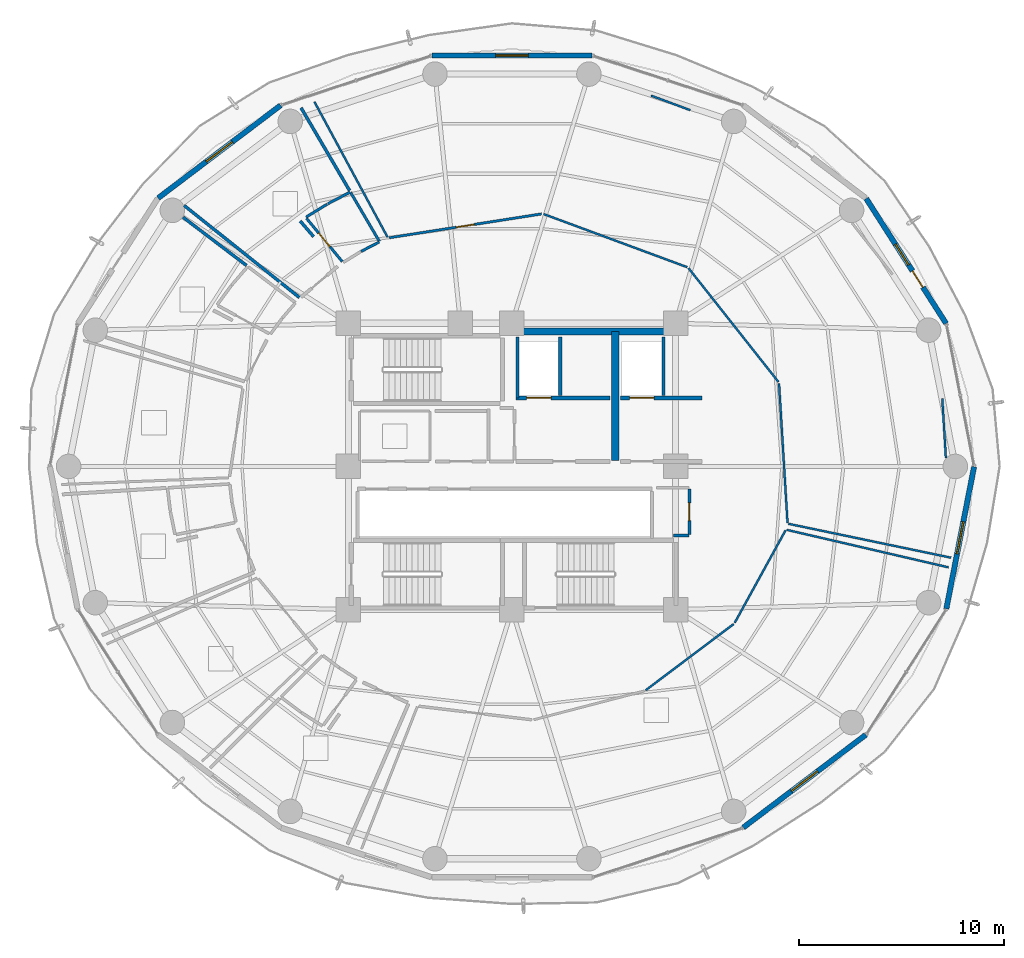
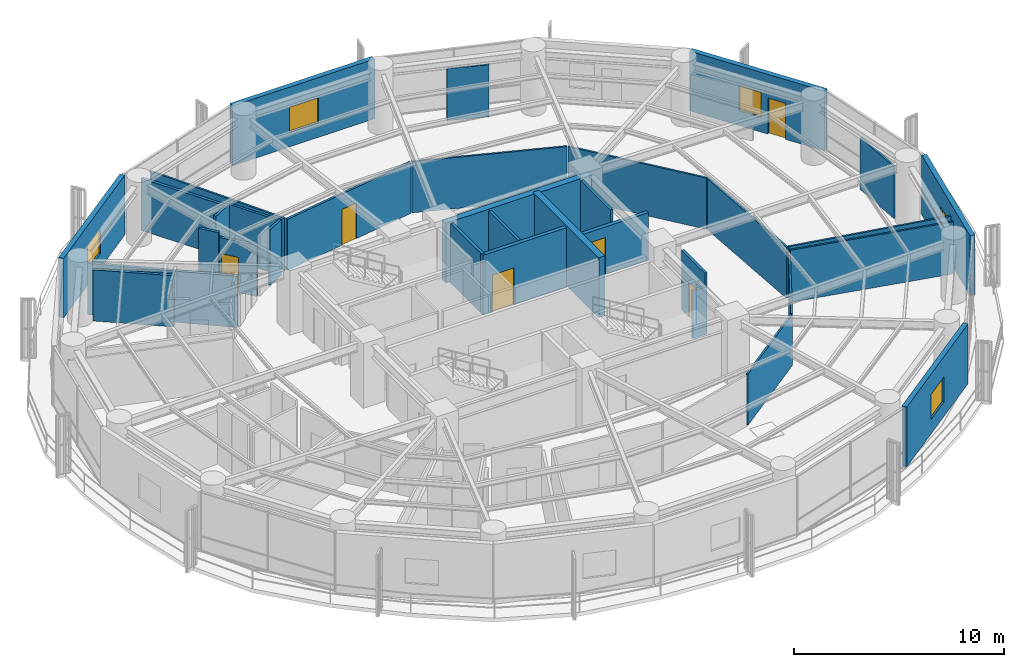
# One storey, part 23 of 27: 34 walls, 6 doors, 5 windows, 11 openings.
"""IFC4 building model written with IfcOpenShell, lengths in metres."""

from ifc_helpers import new_model, si_unit, direction, frame, frame_2d, origin, place, context, subcontext, project, spatial, rectangle, extrude, material, layer, layer_set, type_object, element, fill, save


model = new_model("IFC4")

# Units and contexts
model_context = context("Model", 3, precision=1e-05, world=origin(), true_north=direction((0.0, 1.0)))
body_context = subcontext(model_context, "Body", "Model", "MODEL_VIEW")
ifc_project = project(units=[si_unit("LENGTHUNIT", "METRE"), si_unit("AREAUNIT", "SQUARE_METRE"), si_unit("VOLUMEUNIT", "CUBIC_METRE"), si_unit("PLANEANGLEUNIT", "RADIAN"), si_unit("MASSUNIT", "GRAM", prefix="KILO")], contexts=[model_context])

# Site, building, storey
site_placement = place(None, origin())
site = spatial("IfcSite", under=ifc_project, at=site_placement, CompositionType="ELEMENT")
building_placement = place(site_placement, origin())
building = spatial("IfcBuilding", under=site, at=building_placement, Name="Kelanora Arch Commons", CompositionType="ELEMENT")
storey_placement = place(building_placement, frame((0.0, 0.0, 150.60009765625)))
storey = spatial("IfcBuildingStorey", under=building, at=storey_placement, Name="L38", CompositionType="ELEMENT", Elevation=150.60009765625)

# Walls
ifc_material_1 = material(Name="Autoclaved aerated concrete blockwork with fire plaster", Category="masonry")
ifc_layer_1 = layer(ifc_material_1, 0.14990234375)
ifc_layer_set_1 = layer_set([ifc_layer_1], Name="Autoclaved aerated concrete blockwork with fire plaster")
wall_type_1 = type_object("IfcWallType", Name="W-COMP-150", PredefinedType="PARTITIONING", material=ifc_layer_set_1)
wall_1_placement = place(storey_placement, frame((74.280029296875, 61.35009765625, 0.0), z_axis=(0.0, 0.0, 1.0), x_axis=(0.0, 1.0, 0.0)))
element("IfcWall", 1, at=wall_1_placement, inside=storey, type_object=wall_type_1, Name="Firefighting Lift 1 West Shaft Wall L38", PredefinedType="PARTITIONING", context=body_context, shape_type="SweptSolid", body=[
    extrude(rectangle(XDim=2.969970703125, YDim=0.14990234375, at=frame_2d((1.48486328125, 0.0))), origin(), (0.0, 0.0, 1.0), 3.47998046875),
])
for number, where, z_axis, x_axis, name in (
    (2, (76.360107421875, 61.47998046875, 0.0), (0.0, 0.0, 1.0), (0.0, 1.0, 0.0), "Firefighting Lift 1 East Shaft Wall L38"),
    (3, (81.419921875, 61.47998046875, 0.0), (0.0, 0.0, 1.0), (0.0, 1.0, 0.0), "Firefighting Lift 2 East Shaft Wall L38"),
):
    element("IfcWall", number, at=place(storey_placement, frame(where, z_axis=z_axis, x_axis=x_axis)), inside=storey, type_object=wall_type_1, Name=name, PredefinedType="PARTITIONING", context=body_context, shape_type="SweptSolid", body=[
        extrude(rectangle(XDim=2.840087890625, YDim=0.14990234375, at=frame_2d((1.419921875, 0.0))), origin(), (0.0, 0.0, 1.0), 3.47998046875),
    ])
wall_2_placement = place(storey_placement, frame((63.607666015625, 66.259033203125, 0.0), z_axis=(0.0, 0.0, 1.0), x_axis=(-0.781429667655, 0.623993328898, 0.0)))
element("IfcWall", 4, at=wall_2_placement, inside=storey, type_object=wall_type_1, Name="Co-Living Studio L38-01 Enclosure Partition 2", PredefinedType="PARTITIONING", context=body_context, shape_type="SweptSolid", body=[
    extrude(rectangle(XDim=7.215576171875, YDim=0.14990234375, at=frame_2d((3.60791015625, 0.0))), origin(), (0.0, 0.0, 1.0), 2.974853515625),
])
wall_3_placement = place(storey_placement, frame((63.688232421875, 75.534423828125, 0.0), z_axis=(0.0, 0.0, 1.0), x_axis=(0.505850409321, -0.862621216636, 0.0)))
element("IfcWall", 5, at=wall_3_placement, inside=storey, type_object=wall_type_1, Name="Co-Living Studio L38-01 Enclosure Partition 5", PredefinedType="PARTITIONING", context=body_context, shape_type="SweptSolid", body=[
    extrude(rectangle(XDim=4.690185546875, YDim=0.14990234375, at=frame_2d((2.34521484375, 0.0))), origin(), (0.0, 0.0, 1.0), 3.02490234375),
])
wall_4_placement = place(storey_placement, frame((63.648193359375, 69.99560546875, 0.0), z_axis=(0.0, 0.0, 1.0), x_axis=(0.651733897109, -0.758447709047, 0.0)))
element("IfcWall", 6, at=wall_4_placement, inside=storey, type_object=wall_type_1, Name="Co-Living Studio L38-01 Enclosure Partition 7", PredefinedType="PARTITIONING", context=body_context, shape_type="SweptSolid", body=[
    extrude(rectangle(XDim=1.001953125, YDim=0.14990234375, at=frame_2d((0.5009765625, 0.0))), origin(), (0.0, 0.0, 1.0), 3.47998046875),
])
wall_5_placement = place(storey_placement, frame((57.918212890625, 70.183837890625, 0.0), z_axis=(0.0, 0.0, 1.0), x_axis=(0.796177895966, -0.605062606657, 0.0)))
element("IfcWall", 7, at=wall_5_placement, inside=storey, type_object=wall_type_1, Name="Co-Living Studio L38-02 Enclosure Partition 5", PredefinedType="PARTITIONING", context=body_context, shape_type="SweptSolid", body=[
    extrude(rectangle(XDim=3.89501953125, YDim=0.14990234375, at=frame_2d((1.947509765625, 0.0))), origin(), (0.0, 0.0, 1.0), 2.974853515625),
])
ifc_material_2 = material(Name="Concrete C50/60", Category="concrete")
ifc_layer_2 = layer(ifc_material_2, 0.35009765625)
ifc_layer_set_2 = layer_set([ifc_layer_2], Name="Concrete C50/60")
wall_type_2 = type_object("IfcWallType", Name="W-CORE-350", PredefinedType="SHEAR", material=ifc_layer_set_2)
wall_6_placement = place(storey_placement, frame((74.0, 64.60009765625, 0.0), z_axis=(0.0, 0.0, 1.0), x_axis=(1.0, 0.0, 0.0)))
element("IfcWall", 8, at=wall_6_placement, inside=storey, type_object=wall_type_2, Name="Core Shear Spine L38-CN-E", PredefinedType="SHEAR", context=body_context, shape_type="SweptSolid", body=[
    extrude(rectangle(XDim=8.0, YDim=0.35009765625, at=frame_2d((4.0, 0.0))), origin(), (0.0, 0.0, 1.0), 3.489990234375),
])
wall_7_placement = place(storey_placement, frame((79.050048828125, 58.300048828125, 0.0), z_axis=(0.0, 0.0, 1.0), x_axis=(0.0, 1.0, 0.0)))
element("IfcWall", 9, at=wall_7_placement, inside=storey, type_object=wall_type_2, Name="Core Shear Spine L38-CE-N", PredefinedType="SHEAR", context=body_context, shape_type="SweptSolid", body=[
    extrude(rectangle(XDim=6.300048828125, YDim=0.35009765625, at=frame_2d((3.14990234375, 0.0))), origin(), (0.0, 0.0, 1.0), 3.489990234375),
])

# Wall, openings, door, window
ifc_material_3 = material(Name="Precast concrete C40/50 with terracotta rainscreen", Category="masonry")
ifc_layer_3 = layer(ifc_material_3, 0.260009765625)
ifc_layer_set_3 = layer_set([ifc_layer_3], Name="Precast concrete C40/50 with terracotta rainscreen")
wall_type_3 = type_object("IfcWallType", Name="W-EXT-TC", PredefinedType="SOLIDWALL", material=ifc_layer_set_3)
wall_8_placement = place(storey_placement, frame((95.22900390625, 64.98974609375, 0.0), z_axis=(0.0, 0.0, 1.0), x_axis=(-0.538801521808, 0.842432739213, 0.0)))
wall_8 = element("IfcWall", 10, at=wall_8_placement, inside=storey, type_object=wall_type_3, Name="Terracotta Exterior Wall L38-B01", PredefinedType="SOLIDWALL", context=body_context, shape_type="SweptSolid", body=[
    extrude(rectangle(XDim=7.25341796875, YDim=0.260009765625, at=frame_2d((3.626708984375, 0.0))), origin(), (0.0, 0.0, 1.0), 3.474853515625),
])
opening_1_placement = place(wall_8_placement, frame((2.10205078125, 0.0, 0.0)))
opening_1 = element("IfcOpeningElement", 11, at=opening_1_placement, cuts=wall_8, Name="Opening DB-01", PredefinedType="OPENING", context=body_context, shape_type="SweptSolid", body=[
    extrude(rectangle(XDim=0.949951171875, YDim=2.10009765625, at=frame_2d((0.47509765625, 1.050048828125))), frame((0.0, 0.14013671875, 0.0), z_axis=(0.0, -1.0, 0.0), x_axis=(1.0, 0.0, 0.0)), (0.0, 0.0, 1.0), 0.280029296875),
])
opening_2_placement = place(wall_8_placement, frame((3.402099609375, 0.0, 0.85009765625)))
opening_2 = element("IfcOpeningElement", 12, at=opening_2_placement, cuts=wall_8, Name="Opening WN-02", PredefinedType="OPENING", context=body_context, shape_type="SweptSolid", body=[
    extrude(rectangle(XDim=1.199951171875, YDim=1.449951171875, at=frame_2d((0.60009765625, 0.72509765625))), frame((0.0, 0.14013671875, 0.0), z_axis=(0.0, -1.0, 0.0), x_axis=(1.0, 0.0, 0.0)), (0.0, 0.0, 1.0), 0.280029296875),
])
ifc_material_4 = material(Name="Terracotta-aluminium thermally broken glazed balcony door", Category="masonry")
door_type_1 = type_object("IfcDoorType", Name="D-BAL-10", OperationType="NOTDEFINED", PredefinedType="DOOR", material=ifc_material_4)
door_1_placement = place(opening_1_placement, frame((0.949951171875, 0.0, 0.0), z_axis=(0.0, 0.0, 1.0), x_axis=(-1.0, 0.0, 0.0)))
door_1 = element("IfcDoor", 13, at=door_1_placement, inside=storey, type_object=door_type_1, Name="Wave Balcony Door L38-B01", OperationType="SINGLE_SWING_RIGHT", OverallHeight=2.10009765625, OverallWidth=0.949951171875, PredefinedType="DOOR", context=body_context, shape_type="SweptSolid", body=[
    extrude(rectangle(XDim=0.949951171875, YDim=2.10009765625, at=frame_2d((0.47509765625, 1.050048828125))), frame((0.0, 0.02490234375, 0.0), z_axis=(0.0, -1.0, 0.0), x_axis=(1.0, 0.0, 0.0)), (0.0, 0.0, 1.0), 0.050048828125),
])
fill(opening_1, door_1)
ifc_material_5 = material(Name="Terracotta-anodised aluminium frame with operable awning sash", Category="masonry")
window_type_1 = type_object("IfcWindowType", Name="WIN-CL-12", PartitioningType="SINGLE_PANEL", PredefinedType="WINDOW", material=ifc_material_5)
window_1_placement = place(opening_2_placement, origin())
window_1 = element("IfcWindow", 14, at=window_1_placement, inside=storey, type_object=window_type_1, Name="Co-Living Operable Window L38-B01", OverallHeight=1.449951171875, OverallWidth=1.199951171875, PartitioningType="SINGLE_PANEL", PredefinedType="WINDOW", context=body_context, shape_type="SweptSolid", body=[
    extrude(rectangle(XDim=1.199951171875, YDim=1.449951171875, at=frame_2d((0.60009765625, 0.72509765625))), frame((0.0, 0.030029296875, 0.0), z_axis=(0.0, -1.0, 0.0), x_axis=(1.0, 0.0, 0.0)), (0.0, 0.0, 1.0), 0.06005859375),
])
fill(opening_2, window_1)

# Wall, opening, window
wall_9_placement = place(storey_placement, frame((77.909423828125, 78.090087890625, 0.0), z_axis=(0.0, 0.0, 1.0), x_axis=(-1.0, 0.0, 0.0)))
wall_9 = element("IfcWall", 15, at=wall_9_placement, inside=storey, type_object=wall_type_3, Name="Terracotta Exterior Wall L38-B04", PredefinedType="SOLIDWALL", context=body_context, shape_type="SweptSolid", body=[
    extrude(rectangle(XDim=7.81884765625, YDim=0.260009765625, at=frame_2d((3.909423828125, 0.0))), origin(), (0.0, 0.0, 1.0), 3.474853515625),
])
opening_3_placement = place(wall_9_placement, frame((3.10888671875, 0.0, 0.85009765625)))
opening_3 = element("IfcOpeningElement", 16, at=opening_3_placement, cuts=wall_9, Name="Opening WN-01", PredefinedType="OPENING", context=body_context, shape_type="SweptSolid", body=[
    extrude(rectangle(XDim=1.60009765625, YDim=1.449951171875, at=frame_2d((0.800048828125, 0.72509765625))), frame((0.0, 0.14013671875, 0.0), z_axis=(0.0, -1.0, 0.0), x_axis=(1.0, 0.0, 0.0)), (0.0, 0.0, 1.0), 0.280029296875),
])
ifc_material_6 = material(Name="Terracotta-anodised aluminium frame with operable low-E glazing", Category="masonry")
window_type_2 = type_object("IfcWindowType", Name="WIN-CL-18", PartitioningType="DOUBLE_PANEL_VERTICAL", PredefinedType="WINDOW", material=ifc_material_6)
window_2_placement = place(opening_3_placement, origin())
window_2 = element("IfcWindow", 17, at=window_2_placement, inside=storey, type_object=window_type_2, Name="Co-Living Operable Window L38-B04", OverallHeight=1.449951171875, OverallWidth=1.60009765625, PartitioningType="SINGLE_PANEL", PredefinedType="WINDOW", context=body_context, shape_type="SweptSolid", body=[
    extrude(rectangle(XDim=1.60009765625, YDim=1.449951171875, at=frame_2d((0.800048828125, 0.72509765625))), frame((0.0, 0.030029296875, 0.0), z_axis=(0.0, -1.0, 0.0), x_axis=(1.0, 0.0, 0.0)), (0.0, 0.0, 1.0), 0.06005859375),
])
fill(opening_3, window_2)

wall_10_placement = place(storey_placement, frame((62.68798828125, 75.65771484375, 0.0), z_axis=(0.0, 0.0, 1.0), x_axis=(-0.797163719609, -0.603763202042, 0.0)))
wall_10 = element("IfcWall", 18, at=wall_10_placement, inside=storey, type_object=wall_type_3, Name="Terracotta Exterior Wall L38-B06", PredefinedType="SOLIDWALL", context=body_context, shape_type="SweptSolid", body=[
    extrude(rectangle(XDim=7.51220703125, YDim=0.260009765625, at=frame_2d((3.756103515625, 0.0))), origin(), (0.0, 0.0, 1.0), 3.474853515625),
])
opening_4_placement = place(wall_10_placement, frame((2.9560546875, 0.0, 0.85009765625)))
opening_4 = element("IfcOpeningElement", 19, at=opening_4_placement, cuts=wall_10, Name="Opening WN-01", PredefinedType="OPENING", context=body_context, shape_type="SweptSolid", body=[
    extrude(rectangle(XDim=1.60009765625, YDim=1.449951171875, at=frame_2d((0.800048828125, 0.72509765625))), frame((0.0, 0.14013671875, 0.0), z_axis=(0.0, -1.0, 0.0), x_axis=(1.0, 0.0, 0.0)), (0.0, 0.0, 1.0), 0.280029296875),
])
window_3_placement = place(opening_4_placement, origin())
window_3 = element("IfcWindow", 20, at=window_3_placement, inside=storey, type_object=window_type_2, Name="Co-Living Operable Window L38-B06", OverallHeight=1.449951171875, OverallWidth=1.60009765625, PartitioningType="SINGLE_PANEL", PredefinedType="WINDOW", context=body_context, shape_type="SweptSolid", body=[
    extrude(rectangle(XDim=1.60009765625, YDim=1.449951171875, at=frame_2d((0.800048828125, 0.72509765625))), frame((0.0, 0.030029296875, 0.0), z_axis=(0.0, -1.0, 0.0), x_axis=(1.0, 0.0, 0.0)), (0.0, 0.0, 1.0), 0.06005859375),
])
fill(opening_4, window_3)

wall_11_placement = place(storey_placement, frame((85.31201171875, 40.34228515625, 0.0), z_axis=(0.0, 0.0, 1.0), x_axis=(0.797163719609, 0.603763202042, 0.0)))
wall_11 = element("IfcWall", 21, at=wall_11_placement, inside=storey, type_object=wall_type_3, Name="Terracotta Exterior Wall L38-B15", PredefinedType="SOLIDWALL", context=body_context, shape_type="SweptSolid", body=[
    extrude(rectangle(XDim=7.51220703125, YDim=0.260009765625, at=frame_2d((3.756103515625, 0.0))), origin(), (0.0, 0.0, 1.0), 3.474853515625),
])
opening_5_placement = place(wall_11_placement, frame((2.9560546875, 0.0, 0.85009765625)))
opening_5 = element("IfcOpeningElement", 22, at=opening_5_placement, cuts=wall_11, Name="Opening WN-01", PredefinedType="OPENING", context=body_context, shape_type="SweptSolid", body=[
    extrude(rectangle(XDim=1.60009765625, YDim=1.449951171875, at=frame_2d((0.800048828125, 0.72509765625))), frame((0.0, 0.14013671875, 0.0), z_axis=(0.0, -1.0, 0.0), x_axis=(1.0, 0.0, 0.0)), (0.0, 0.0, 1.0), 0.280029296875),
])
window_4_placement = place(opening_5_placement, origin())
window_4 = element("IfcWindow", 23, at=window_4_placement, inside=storey, type_object=window_type_2, Name="Co-Living Operable Window L38-B15", OverallHeight=1.449951171875, OverallWidth=1.60009765625, PartitioningType="SINGLE_PANEL", PredefinedType="WINDOW", context=body_context, shape_type="SweptSolid", body=[
    extrude(rectangle(XDim=1.60009765625, YDim=1.449951171875, at=frame_2d((0.800048828125, 0.72509765625))), frame((0.0, 0.030029296875, 0.0), z_axis=(0.0, -1.0, 0.0), x_axis=(1.0, 0.0, 0.0)), (0.0, 0.0, 1.0), 0.06005859375),
])
fill(opening_5, window_4)

wall_12_placement = place(storey_placement, frame((95.239990234375, 51.03759765625, 0.0), z_axis=(0.0, 0.0, 1.0), x_axis=(0.191716984769, 0.981450252306, 0.0)))
wall_12 = element("IfcWall", 24, at=wall_12_placement, inside=storey, type_object=wall_type_3, Name="Terracotta Exterior Wall L38-B17", PredefinedType="SOLIDWALL", context=body_context, shape_type="SweptSolid", body=[
    extrude(rectangle(XDim=7.0791015625, YDim=0.260009765625, at=frame_2d((3.53955078125, 0.0))), origin(), (0.0, 0.0, 1.0), 3.474853515625),
])
opening_6_placement = place(wall_12_placement, frame((2.739990234375, 0.0, 0.85009765625)))
opening_6 = element("IfcOpeningElement", 25, at=opening_6_placement, cuts=wall_12, Name="Opening WN-01", PredefinedType="OPENING", context=body_context, shape_type="SweptSolid", body=[
    extrude(rectangle(XDim=1.60009765625, YDim=1.449951171875, at=frame_2d((0.800048828125, 0.72509765625))), frame((0.0, 0.14013671875, 0.0), z_axis=(0.0, -1.0, 0.0), x_axis=(1.0, 0.0, 0.0)), (0.0, 0.0, 1.0), 0.280029296875),
])
window_5_placement = place(opening_6_placement, origin())
window_5 = element("IfcWindow", 26, at=window_5_placement, inside=storey, type_object=window_type_2, Name="Co-Living Operable Window L38-B17", OverallHeight=1.449951171875, OverallWidth=1.60009765625, PartitioningType="SINGLE_PANEL", PredefinedType="WINDOW", context=body_context, shape_type="SweptSolid", body=[
    extrude(rectangle(XDim=1.60009765625, YDim=1.449951171875, at=frame_2d((0.800048828125, 0.72509765625))), frame((0.0, 0.030029296875, 0.0), z_axis=(0.0, -1.0, 0.0), x_axis=(1.0, 0.0, 0.0)), (0.0, 0.0, 1.0), 0.06005859375),
])
fill(opening_6, window_5)

# Wall, opening, door
ifc_material_7 = material(Name="Concrete C40/50", Category="concrete")
ifc_layer_4 = layer(ifc_material_7, 0.199951171875)
ifc_layer_set_4 = layer_set([ifc_layer_4], Name="Concrete C40/50")
wall_type_4 = type_object("IfcWallType", Name="W-FFL-200", PredefinedType="SOLIDWALL", material=ifc_layer_set_4)
wall_13_placement = place(storey_placement, frame((74.199951171875, 61.35009765625, 0.0), z_axis=(0.0, 0.0, 1.0), x_axis=(1.0, 0.0, 0.0)))
wall_13 = element("IfcWall", 27, at=wall_13_placement, inside=storey, type_object=wall_type_4, Name="Firefighting Lift 1 Shaft Front L38", PredefinedType="SOLIDWALL", context=body_context, shape_type="SweptSolid", body=[
    extrude(rectangle(XDim=4.60009765625, YDim=0.199951171875, at=frame_2d((2.300048828125, 0.0))), origin(), (0.0, 0.0, 1.0), 3.47998046875),
])
opening_7_placement = place(wall_13_placement, frame((0.52001953125, 0.0, 0.0)))
opening_7 = element("IfcOpeningElement", 28, at=opening_7_placement, cuts=wall_13, Name="Opening LD-FF", PredefinedType="OPENING", context=body_context, shape_type="SweptSolid", body=[
    extrude(rectangle(XDim=1.199951171875, YDim=2.14990234375, at=frame_2d((0.60009765625, 1.074951171875))), frame((0.0, 0.10986328125, 0.0), z_axis=(0.0, -1.0, 0.0), x_axis=(1.0, 0.0, 0.0)), (0.0, 0.0, 1.0), 0.219970703125),
])
ifc_material_8 = material(Name="Fire-rated firefighters lift sliding landing door")
door_type_2 = type_object("IfcDoorType", Name="D-LIFT-FF", OperationType="NOTDEFINED", PredefinedType="DOOR", material=ifc_material_8)
door_2_placement = place(opening_7_placement, origin())
door_2 = element("IfcDoor", 29, at=door_2_placement, inside=storey, type_object=door_type_2, Name="Firefighting Lift LF-FF1 Landing Door L38", OperationType="DOUBLE_DOOR_SLIDING", OverallHeight=2.14990234375, OverallWidth=1.199951171875, PredefinedType="DOOR", context=body_context, shape_type="SweptSolid", body=[
    extrude(rectangle(XDim=1.199951171875, YDim=2.14990234375, at=frame_2d((0.60009765625, 1.074951171875))), frame((0.0, 0.02490234375, 0.0), z_axis=(0.0, -1.0, 0.0), x_axis=(1.0, 0.0, 0.0)), (0.0, 0.0, 1.0), 0.050048828125),
])
fill(opening_7, door_2)

wall_14_placement = place(storey_placement, frame((79.300048828125, 61.35009765625, 0.0), z_axis=(0.0, 0.0, 1.0), x_axis=(1.0, 0.0, 0.0)))
wall_14 = element("IfcWall", 30, at=wall_14_placement, inside=storey, type_object=wall_type_4, Name="Firefighting Lift 2 Shaft Front L38", PredefinedType="SOLIDWALL", context=body_context, shape_type="SweptSolid", body=[
    extrude(rectangle(XDim=4.0, YDim=0.199951171875, at=frame_2d((2.0, 0.0))), origin(), (0.0, 0.0, 1.0), 2.77490234375),
])
opening_8_placement = place(wall_14_placement, frame((0.449951171875, 0.0, 0.0)))
opening_8 = element("IfcOpeningElement", 31, at=opening_8_placement, cuts=wall_14, Name="Opening LD-FF", PredefinedType="OPENING", context=body_context, shape_type="SweptSolid", body=[
    extrude(rectangle(XDim=1.199951171875, YDim=2.14990234375, at=frame_2d((0.60009765625, 1.074951171875))), frame((0.0, 0.10986328125, 0.0), z_axis=(0.0, -1.0, 0.0), x_axis=(1.0, 0.0, 0.0)), (0.0, 0.0, 1.0), 0.219970703125),
])
door_3_placement = place(opening_8_placement, origin())
door_3 = element("IfcDoor", 32, at=door_3_placement, inside=storey, type_object=door_type_2, Name="Firefighting Lift LF-FF2 Landing Door L38", OperationType="DOUBLE_DOOR_SLIDING", OverallHeight=2.14990234375, OverallWidth=1.199951171875, PredefinedType="DOOR", context=body_context, shape_type="SweptSolid", body=[
    extrude(rectangle(XDim=1.199951171875, YDim=2.14990234375, at=frame_2d((0.60009765625, 1.074951171875))), frame((0.0, 0.02490234375, 0.0), z_axis=(0.0, -1.0, 0.0), x_axis=(1.0, 0.0, 0.0)), (0.0, 0.0, 1.0), 0.050048828125),
])
fill(opening_8, door_3)

# Walls
ifc_material_9 = material(Name="Lightweight fire-rated acoustic stud partition")
ifc_layer_5 = layer(ifc_material_9, 0.10009765625)
ifc_layer_set_5 = layer_set([ifc_layer_5], Name="Lightweight fire-rated acoustic stud partition")
wall_type_5 = type_object("IfcWallType", Name="W-PART-100", PredefinedType="PARTITIONING", material=ifc_layer_set_5)
wall_15_placement = place(storey_placement, frame((80.534912109375, 47.053955078125, 0.0), z_axis=(0.0, 0.0, 1.0), x_axis=(0.799096406603, 0.601202904979, 0.0)))
element("IfcWall", 33, at=wall_15_placement, inside=storey, type_object=wall_type_5, Name="South-East Shared Study Commons L38 Enclosure Partition 3", PredefinedType="PARTITIONING", context=body_context, shape_type="SweptSolid", body=[
    extrude(rectangle(XDim=5.387451171875, YDim=0.10009765625, at=frame_2d((2.69384765625, 0.0))), origin(), (0.0, 0.0, 1.0), 2.974853515625),
])
wall_16_placement = place(storey_placement, frame((84.891357421875, 50.35205078125, 0.0), z_axis=(0.0, 0.0, 1.0), x_axis=(0.481680787808, 0.876346745676, 0.0)))
element("IfcWall", 34, at=wall_16_placement, inside=storey, type_object=wall_type_5, Name="South-East Shared Study Commons L38 Enclosure Partition 4", PredefinedType="PARTITIONING", context=body_context, shape_type="SweptSolid", body=[
    extrude(rectangle(XDim=5.15966796875, YDim=0.10009765625, at=frame_2d((2.579833984375, 0.0))), origin(), (0.0, 0.0, 1.0), 2.974853515625),
])
wall_17_placement = place(storey_placement, frame((87.43505859375, 54.89990234375, 0.0), z_axis=(0.0, 0.0, 1.0), x_axis=(0.97414388338, -0.225928516292, 0.0)))
element("IfcWall", 35, at=wall_17_placement, inside=storey, type_object=wall_type_5, Name="South-East Shared Study Commons L38 Enclosure Partition 5", PredefinedType="PARTITIONING", context=body_context, shape_type="SweptSolid", body=[
    extrude(rectangle(XDim=8.121826171875, YDim=0.10009765625, at=frame_2d((4.06103515625, 0.0))), origin(), (0.0, 0.0, 1.0), 3.02490234375),
])
wall_18_placement = place(storey_placement, frame((87.4736328125, 55.243896484375, 0.0), z_axis=(0.0, 0.0, 1.0), x_axis=(-0.060688331813, 0.998156764432, 0.0)))
element("IfcWall", 36, at=wall_18_placement, inside=storey, type_object=wall_type_5, Name="North-East Shared Cluster Kitchen L38 Enclosure Partition 1", PredefinedType="PARTITIONING", context=body_context, shape_type="SweptSolid", body=[
    extrude(rectangle(XDim=6.826904296875, YDim=0.10009765625, at=frame_2d((3.41357421875, 0.0))), origin(), (0.0, 0.0, 1.0), 2.974853515625),
])
wall_19_placement = place(storey_placement, frame((87.0322265625, 62.12939453125, 0.0), z_axis=(0.0, 0.0, 1.0), x_axis=(-0.619933209612, 0.784654583636, 0.0)))
element("IfcWall", 37, at=wall_19_placement, inside=storey, type_object=wall_type_5, Name="North-East Shared Cluster Kitchen L38 Enclosure Partition 2", PredefinedType="PARTITIONING", context=body_context, shape_type="SweptSolid", body=[
    extrude(rectangle(XDim=7.094970703125, YDim=0.10009765625, at=frame_2d((3.54736328125, 0.0))), origin(), (0.0, 0.0, 1.0), 2.974853515625),
])
wall_20_placement = place(storey_placement, frame((82.571533203125, 67.741943359375, 0.0), z_axis=(0.0, 0.0, 1.0), x_axis=(-0.937874459602, 0.346974780101, 0.0)))
element("IfcWall", 38, at=wall_20_placement, inside=storey, type_object=wall_type_5, Name="North-East Shared Cluster Kitchen L38 Enclosure Partition 3", PredefinedType="PARTITIONING", context=body_context, shape_type="SweptSolid", body=[
    extrude(rectangle(XDim=7.49365234375, YDim=0.10009765625, at=frame_2d((3.746826171875, 0.0))), origin(), (0.0, 0.0, 1.0), 2.974853515625),
])
wall_21_placement = place(storey_placement, frame((67.91796875, 69.207275390625, 0.0), z_axis=(0.0, 0.0, 1.0), x_axis=(-0.475160964166, 0.879898890858, 0.0)))
element("IfcWall", 39, at=wall_21_placement, inside=storey, type_object=wall_type_5, Name="North-East Shared Cluster Kitchen L38 Enclosure Partition 5", PredefinedType="PARTITIONING", context=body_context, shape_type="SweptSolid", body=[
    extrude(rectangle(XDim=7.52978515625, YDim=0.10009765625, at=frame_2d((3.764892578125, 0.0))), origin(), (0.0, 0.0, 1.0), 3.02490234375),
])
wall_22_placement = place(storey_placement, frame((80.80126953125, 76.1318359375, 0.0), z_axis=(0.0, 0.0, 1.0), x_axis=(0.93765088322, -0.347578510839, 0.0)))
element("IfcWall", 40, at=wall_22_placement, inside=storey, type_object=wall_type_5, Name="North-East Shared Cluster Kitchen L38 Enclosure Partition 7", PredefinedType="PARTITIONING", context=body_context, shape_type="SweptSolid", body=[
    extrude(rectangle(XDim=2.046875, YDim=0.10009765625, at=frame_2d((1.0234375, 0.0))), origin(), (0.0, 0.0, 1.0), 3.02490234375),
])
wall_23_placement = place(storey_placement, frame((95.040771484375, 61.32861328125, 0.0), z_axis=(0.0, 0.0, 1.0), x_axis=(0.060573475309, -0.998163741121, 0.0)))
element("IfcWall", 41, at=wall_23_placement, inside=storey, type_object=wall_type_5, Name="North-East Shared Cluster Kitchen L38 Enclosure Partition 9", PredefinedType="PARTITIONING", context=body_context, shape_type="SweptSolid", body=[
    extrude(rectangle(XDim=2.9140625, YDim=0.10009765625, at=frame_2d((1.45703125, 0.0))), origin(), (0.0, 0.0, 1.0), 3.02490234375),
])
wall_24_placement = place(storey_placement, frame((95.474853515625, 53.5361328125, 0.0), z_axis=(0.0, 0.0, 1.0), x_axis=(-0.978946183013, 0.204118521367, 0.0)))
element("IfcWall", 42, at=wall_24_placement, inside=storey, type_object=wall_type_5, Name="North-East Shared Cluster Kitchen L38 Enclosure Partition 10", PredefinedType="PARTITIONING", context=body_context, shape_type="SweptSolid", body=[
    extrude(rectangle(XDim=8.130859375, YDim=0.10009765625, at=frame_2d((4.0654296875, 0.0))), origin(), (0.0, 0.0, 1.0), 3.02490234375),
])

# Wall, opening, door
ifc_material_10 = material(Name="Acoustic twin-stud fire-rated gypsum partition")
ifc_layer_6 = layer(ifc_material_10, 0.1201171875)
ifc_layer_set_6 = layer_set([ifc_layer_6], Name="Acoustic twin-stud fire-rated gypsum partition")
wall_type_6 = type_object("IfcWallType", Name="W-PART-120", PredefinedType="PARTITIONING", material=ifc_layer_set_6)
wall_25_placement = place(storey_placement, frame((75.44677734375, 70.3466796875, 0.0), z_axis=(0.0, 0.0, 1.0), x_axis=(-0.987988721118, -0.154526007337, 0.0)))
wall_25 = element("IfcWall", 43, at=wall_25_placement, inside=storey, type_object=wall_type_6, Name="North-East Shared Cluster Kitchen L38 Entry Partition", PredefinedType="PARTITIONING", context=body_context, shape_type="SweptSolid", body=[
    extrude(rectangle(XDim=7.541015625, YDim=0.1201171875, at=frame_2d((3.7705078125, 0.0))), origin(), (0.0, 0.0, 1.0), 2.974853515625),
])
opening_9_placement = place(wall_25_placement, frame((3.320068359375, 0.0, 0.0)))
opening_9 = element("IfcOpeningElement", 44, at=opening_9_placement, cuts=wall_25, Name="Opening D-RM1", PredefinedType="OPENING", context=body_context, shape_type="SweptSolid", body=[
    extrude(rectangle(XDim=0.89990234375, YDim=2.080078125, at=frame_2d((0.449951171875, 1.0400390625))), frame((0.0, 0.070068359375, 0.0), z_axis=(0.0, -1.0, 0.0), x_axis=(1.0, 0.0, 0.0)), (0.0, 0.0, 1.0), 0.14013671875),
])
ifc_material_11 = material(Name="Acoustic fire-rated timber study and lounge door", Category="wood")
door_type_3 = type_object("IfcDoorType", Name="D-ROOM-90", OperationType="NOTDEFINED", PredefinedType="DOOR", material=ifc_material_11)
door_4_placement = place(opening_9_placement, origin())
door_4 = element("IfcDoor", 45, at=door_4_placement, inside=storey, type_object=door_type_3, Name="North-East Shared Cluster Kitchen L38 Door", OperationType="SINGLE_SWING_LEFT", OverallHeight=2.080078125, OverallWidth=0.89990234375, PredefinedType="DOOR", context=body_context, shape_type="SweptSolid", body=[
    extrude(rectangle(XDim=0.89990234375, YDim=2.080078125, at=frame_2d((0.449951171875, 1.0400390625))), frame((0.0, 0.02490234375, 0.0), z_axis=(0.0, -1.0, 0.0), x_axis=(1.0, 0.0, 0.0)), (0.0, 0.0, 1.0), 0.050048828125),
])
fill(opening_9, door_4)

ifc_material_12 = material(Name="Moisture-resistant fire-rated cement-board plumbing wall")
ifc_layer_7 = layer(ifc_material_12, 0.1298828125)
ifc_layer_set_7 = layer_set([ifc_layer_7], Name="Moisture-resistant fire-rated cement-board plumbing wall")
wall_type_7 = type_object("IfcWallType", Name="W-WET-120", PredefinedType="PLUMBINGWALL", material=ifc_layer_set_7)
wall_26_placement = place(storey_placement, frame((82.679931640625, 54.679931640625, 0.0), z_axis=(0.0, 0.0, 1.0), x_axis=(0.0, 1.0, 0.0)))
wall_26 = element("IfcWall", 46, at=wall_26_placement, inside=storey, type_object=wall_type_7, Name="Core Accessible Unisex WC L38 Entry Partition", PredefinedType="PLUMBINGWALL", context=body_context, shape_type="SweptSolid", body=[
    extrude(rectangle(XDim=2.2099609375, YDim=0.1298828125, at=frame_2d((1.10498046875, 0.0))), origin(), (0.0, 0.0, 1.0), 3.47998046875),
])
opening_10_placement = place(wall_26_placement, frame((0.675048828125, 0.0, 0.0)))
opening_10 = element("IfcOpeningElement", 47, at=opening_10_placement, cuts=wall_26, Name="Opening D-BT1", PredefinedType="OPENING", context=body_context, shape_type="SweptSolid", body=[
    extrude(rectangle(XDim=0.860107421875, YDim=2.050048828125, at=frame_2d((0.43017578125, 1.02490234375))), frame((0.0, 0.074951171875, 0.0), z_axis=(0.0, -1.0, 0.0), x_axis=(1.0, 0.0, 0.0)), (0.0, 0.0, 1.0), 0.14990234375),
])
ifc_material_13 = material(Name="Moisture-sealed fire-rated accessible bathroom door")
door_type_4 = type_object("IfcDoorType", Name="D-BATH-85", OperationType="NOTDEFINED", PredefinedType="DOOR", material=ifc_material_13)
door_5_placement = place(opening_10_placement, origin())
door_5 = element("IfcDoor", 48, at=door_5_placement, inside=storey, type_object=door_type_4, Name="Core Accessible Unisex WC L38 Door", OperationType="SINGLE_SWING_LEFT", OverallHeight=2.050048828125, OverallWidth=0.860107421875, PredefinedType="DOOR", context=body_context, shape_type="SweptSolid", body=[
    extrude(rectangle(XDim=0.860107421875, YDim=2.050048828125, at=frame_2d((0.43017578125, 1.02490234375))), frame((0.0, 0.02490234375, 0.0), z_axis=(0.0, -1.0, 0.0), x_axis=(1.0, 0.0, 0.0)), (0.0, 0.0, 1.0), 0.050048828125),
])
fill(opening_10, door_5)

wall_27_placement = place(storey_placement, frame((65.701904296875, 68.016357421875, 0.0), z_axis=(0.0, 0.0, 1.0), x_axis=(-0.636757315483, 0.771064278241, 0.0)))
wall_27 = element("IfcWall", 49, at=wall_27_placement, inside=storey, type_object=wall_type_7, Name="En-Suite Shower WC L38-01 Entry Partition", PredefinedType="PLUMBINGWALL", context=body_context, shape_type="SweptSolid", body=[
    extrude(rectangle(XDim=2.744873046875, YDim=0.1298828125, at=frame_2d((1.37255859375, 0.0))), origin(), (0.0, 0.0, 1.0), 2.974853515625),
])
opening_11_placement = place(wall_27_placement, frame((0.94189453125, 0.0, 0.0)))
opening_11 = element("IfcOpeningElement", 50, at=opening_11_placement, cuts=wall_27, Name="Opening D-BT1", PredefinedType="OPENING", context=body_context, shape_type="SweptSolid", body=[
    extrude(rectangle(XDim=0.860107421875, YDim=2.050048828125, at=frame_2d((0.43017578125, 1.02490234375))), frame((0.0, 0.074951171875, 0.0), z_axis=(0.0, -1.0, 0.0), x_axis=(1.0, 0.0, 0.0)), (0.0, 0.0, 1.0), 0.14990234375),
])
door_6_placement = place(opening_11_placement, origin())
door_6 = element("IfcDoor", 51, at=door_6_placement, inside=storey, type_object=door_type_4, Name="En-Suite Shower WC L38-01 Door", OperationType="SINGLE_SWING_RIGHT", OverallHeight=2.050048828125, OverallWidth=0.860107421875, PredefinedType="DOOR", context=body_context, shape_type="SweptSolid", body=[
    extrude(rectangle(XDim=0.860107421875, YDim=2.050048828125, at=frame_2d((0.43017578125, 1.02490234375))), frame((0.0, 0.02490234375, 0.0), z_axis=(0.0, -1.0, 0.0), x_axis=(1.0, 0.0, 0.0)), (0.0, 0.0, 1.0), 0.050048828125),
])
fill(opening_11, door_6)

# Walls
wall_28_placement = place(storey_placement, frame((81.89990234375, 54.6201171875, 0.0), z_axis=(0.0, 0.0, 1.0), x_axis=(1.0, 0.0, 0.0)))
element("IfcWall", 52, at=wall_28_placement, inside=storey, type_object=wall_type_7, Name="Core Accessible Unisex WC L38 Enclosure Partition 1", PredefinedType="PLUMBINGWALL", context=body_context, shape_type="SweptSolid", body=[
    extrude(rectangle(XDim=0.760009765625, YDim=0.1298828125, at=frame_2d((0.3798828125, 0.0))), origin(), (0.0, 0.0, 1.0), 2.77490234375),
])
wall_29_placement = place(storey_placement, frame((67.51123046875, 68.975830078125, 0.0), z_axis=(0.0, 0.0, 1.0), x_axis=(-0.88687840459, -0.462002917168, 0.0)))
element("IfcWall", 53, at=wall_29_placement, inside=storey, type_object=wall_type_7, Name="En-Suite Shower WC L38-01 Enclosure Partition 1", PredefinedType="PLUMBINGWALL", context=body_context, shape_type="SweptSolid", body=[
    extrude(rectangle(XDim=0.992919921875, YDim=0.1298828125, at=frame_2d((0.49658203125, 0.0))), origin(), (0.0, 0.0, 1.0), 3.23486328125),
])
wall_30_placement = place(storey_placement, frame((63.93310546875, 70.189453125, 0.0), z_axis=(0.0, 0.0, 1.0), x_axis=(0.851319302067, 0.524647925688, 0.0)))
element("IfcWall", 54, at=wall_30_placement, inside=storey, type_object=wall_type_7, Name="En-Suite Shower WC L38-01 Enclosure Partition 4", PredefinedType="PLUMBINGWALL", context=body_context, shape_type="SweptSolid", body=[
    extrude(rectangle(XDim=1.212158203125, YDim=0.1298828125, at=frame_2d((0.60595703125, 0.0))), origin(), (0.0, 0.0, 1.0), 2.974853515625),
])
wall_31_placement = place(storey_placement, frame((64.999755859375, 70.84521484375, 0.0), z_axis=(0.0, 0.0, 1.0), x_axis=(0.886527747476, 0.462675429383, 0.0)))
element("IfcWall", 55, at=wall_31_placement, inside=storey, type_object=wall_type_7, Name="En-Suite Shower WC L38-01 Enclosure Partition 5", PredefinedType="PLUMBINGWALL", context=body_context, shape_type="SweptSolid", body=[
    extrude(rectangle(XDim=1.219970703125, YDim=0.1298828125, at=frame_2d((0.60986328125, 0.0))), origin(), (0.0, 0.0, 1.0), 3.1748046875),
])
wall_32_placement = place(storey_placement, frame((66.109130859375, 71.40185546875, 0.0), z_axis=(0.0, 0.0, 1.0), x_axis=(0.506513995599, -0.862231739304, 0.0)))
element("IfcWall", 56, at=wall_32_placement, inside=storey, type_object=wall_type_7, Name="En-Suite Shower WC L38-01 Enclosure Partition 6", PredefinedType="PLUMBINGWALL", context=body_context, shape_type="SweptSolid", body=[
    extrude(rectangle(XDim=2.782958984375, YDim=0.1298828125, at=frame_2d((1.3916015625, 0.0))), origin(), (0.0, 0.0, 1.0), 3.1748046875),
])

save(model, "model.ifc")
